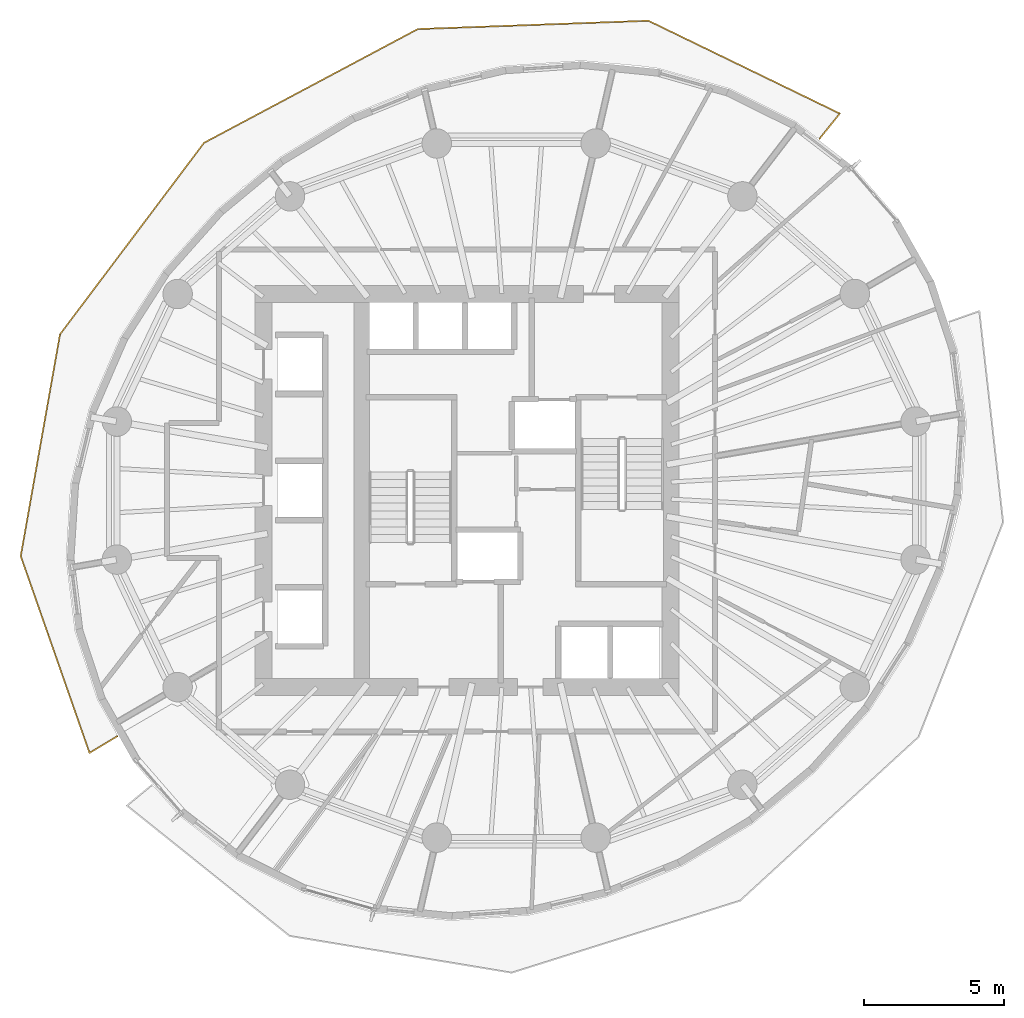
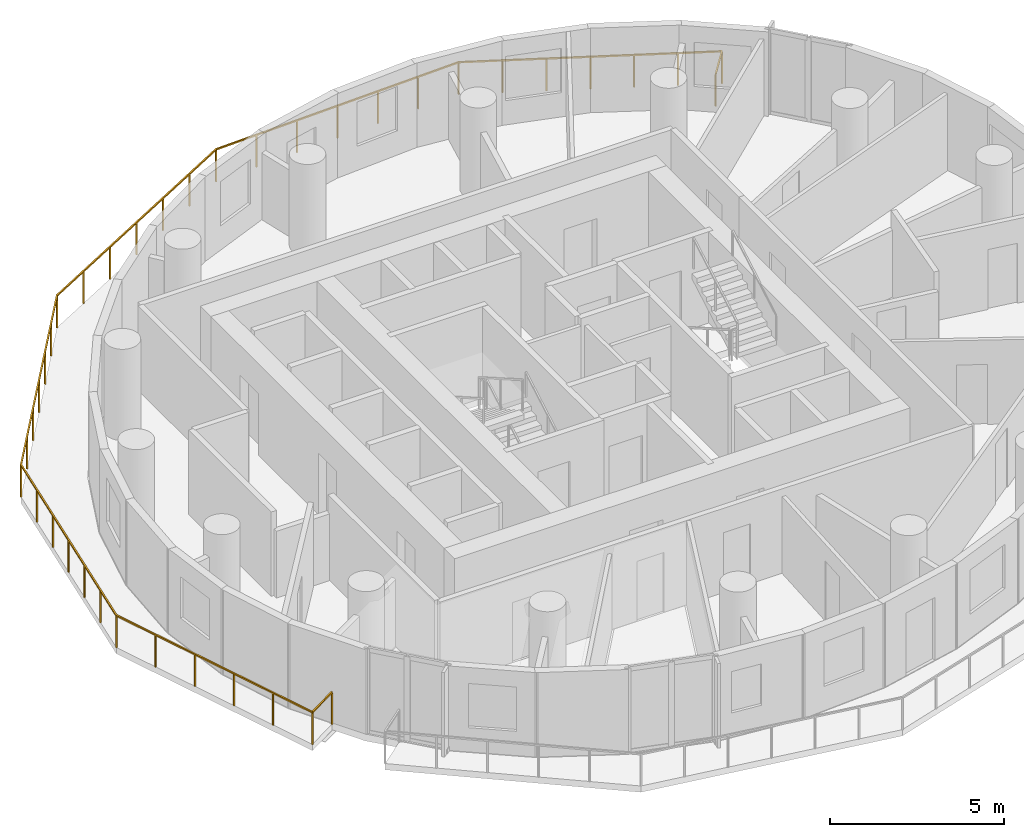
# One storey, part 11 of 12: 1 railing.
"""IFC4 building model written with IfcOpenShell, lengths in metres."""

import ifcopenshell
import ifcopenshell.guid

model = None  # the IFC model being written
_history = None  # IfcOwnerHistory: only IFC2X3 demands one
_inside = {}  # id of a spatial element -> (the spatial element, [elements in it])
_under = {}  # id of a project, library or spatial element -> (it, [spatial elements below it])
_declared = {}  # id of a project -> (the project, [libraries it declares])
_typed = {}  # id of a type object -> (the type object, [elements of that type])
_made_of = {}  # id of a material, layer set ... -> (it, [elements and type objects made of it])


def new_model(schema):
    """Start an empty IFC model of exactly this schema.

    Asked for "IFC4X3", IfcOpenShell would pick the latest addendum, in which some entities
    have other attributes; the version numbers below select the first issue.
    IFC2X3 requires an IfcOwnerHistory on every rooted entity: one is made here for all.
    """
    global model, _history
    if schema == "IFC4X3":
        model = ifcopenshell.file(schema_version=(4, 3, 0, 0))
    else:
        model = ifcopenshell.file(schema=schema)
    _inside.clear()
    _under.clear()
    _declared.clear()
    _typed.clear()
    _made_of.clear()
    _history = None
    if model.schema == "IFC2X3":
        org = make("IfcOrganization", Name="unknown")
        user = make(
            "IfcPersonAndOrganization",
            ThePerson=make("IfcPerson", FamilyName="unknown"),
            TheOrganization=org,
        )
        app = make(
            "IfcApplication",
            ApplicationDeveloper=org,
            Version="unknown",
            ApplicationFullName="unknown",
            ApplicationIdentifier="unknown",
        )
        _history = make(
            "IfcOwnerHistory",
            OwningUser=user,
            OwningApplication=app,
            ChangeAction="ADDED",
            CreationDate=0,
        )
    return model


def make(cls, **values):
    """One entity of the class cls with the attributes given. An attribute that is None is left unset."""
    return model.create_entity(
        cls, **{name: value for name, value in values.items() if value is not None}
    )


def rooted(cls, **values):
    """An entity with a GlobalId (a new one), such as an element, a storey or a relation."""
    return make(cls, GlobalId=ifcopenshell.guid.new(), OwnerHistory=_history, **values)


def si_unit(unit_type, name, prefix=None):
    """IfcSIUnit, for example si_unit("LENGTHUNIT", "METRE", prefix="MILLI")."""
    return make("IfcSIUnit", UnitType=unit_type, Prefix=prefix, Name=name)


def assignment(units):
    """IfcUnitAssignment: the units of a project."""
    return None if units is None else make("IfcUnitAssignment", Units=units)


def point(xyz):
    """IfcCartesianPoint."""
    return None if xyz is None else make("IfcCartesianPoint", Coordinates=xyz)


def direction(xyz):
    """IfcDirection."""
    return None if xyz is None else make("IfcDirection", DirectionRatios=xyz)


def frame(location, z_axis=None, x_axis=None):
    """IfcAxis2Placement3D, a coordinate frame: its origin and axes. An axis left out is left unset."""
    return make(
        "IfcAxis2Placement3D",
        Location=point(location),
        Axis=direction(z_axis),
        RefDirection=direction(x_axis),
    )


def frame_2d(location, x_axis=None):
    """IfcAxis2Placement2D, a coordinate frame in the plane: its origin and x axis."""
    return make(
        "IfcAxis2Placement2D", Location=point(location), RefDirection=direction(x_axis)
    )


def origin():
    """The frame at (0, 0, 0) with its axes left unset."""
    return frame((0.0, 0.0, 0.0))


def origin_2d():
    """The frame at (0, 0) in the plane with its x axis left unset."""
    return frame_2d((0.0, 0.0))


def place(relative_to, where):
    """IfcLocalPlacement: puts the frame where relative to a parent placement (None: the world)."""
    return make(
        "IfcLocalPlacement", PlacementRelTo=relative_to, RelativePlacement=where
    )


def context(
    kind, dimensions, precision=None, world=None, true_north=None, identifier=None
):
    """IfcGeometricRepresentationContext, for example the 3D "Model" context."""
    return make(
        "IfcGeometricRepresentationContext",
        ContextIdentifier=identifier,
        ContextType=kind,
        CoordinateSpaceDimension=dimensions,
        Precision=precision,
        WorldCoordinateSystem=world,
        TrueNorth=true_north,
    )


def subcontext(parent, identifier, kind, view, scale=None):
    """IfcGeometricRepresentationSubContext, for example "Body" below "Model"."""
    return make(
        "IfcGeometricRepresentationSubContext",
        ContextIdentifier=identifier,
        ContextType=kind,
        ParentContext=parent,
        TargetScale=scale,
        TargetView=view,
    )


def project(units=None, contexts=None):
    """IfcProject with its units and contexts."""
    return rooted(
        "IfcProject",
        Name="project",
        RepresentationContexts=contexts,
        UnitsInContext=assignment(units),
    )


def spatial(cls, under=None, at=None, **own):
    """A site, building, storey or space (cls), placed at a placement, below another one or the project."""
    s = rooted(cls, ObjectPlacement=at, **own)
    if under is not None:
        _under.setdefault(under.id(), (under, []))[1].append(s)
    return s


def profile(cls, at=None, kind="AREA", **sizes):
    """A parametric profile (cls). Its sizes go by their IFC names, for example OverallWidth=200.0."""
    return make(cls, ProfileType=kind, Position=at, **sizes)


def rectangle(**sizes):
    """IfcRectangleProfileDef."""
    return profile("IfcRectangleProfileDef", **sizes)


def extrude(swept, where, along, depth):
    """IfcExtrudedAreaSolid: the profile swept, set in the frame where, extruded along a direction by depth."""
    return make(
        "IfcExtrudedAreaSolid",
        SweptArea=swept,
        Position=where,
        ExtrudedDirection=direction(along),
        Depth=depth,
    )


def shape(context_of_items, identifier, shape_type, items):
    """IfcShapeRepresentation: the items that make up one representation, for example the "Body"."""
    return make(
        "IfcShapeRepresentation",
        ContextOfItems=context_of_items,
        RepresentationIdentifier=identifier,
        RepresentationType=shape_type,
        Items=items,
    )


def material(Name=None, Category=None):
    """IfcMaterial."""
    return make("IfcMaterial", Name=Name, Category=Category)


def made_of(thing, what):
    """Note that an element or type object is made of a material, layer set ...; save() writes the relation."""
    if what is not None:
        _made_of.setdefault(what.id(), (what, []))[1].append(thing)
    return thing


def type_object(cls, material=None, **own):
    """A type object (cls), such as IfcWallType, which elements share."""
    return made_of(rooted(cls, **own), material)


def element(
    cls,
    number,
    at=None,
    inside=None,
    cuts=None,
    type_object=None,
    material=None,
    context=None,
    identifier="Body",
    shape_type=None,
    held_by="IfcProductDefinitionShape",
    body=None,
    shapes=None,
    **own,
):
    """One element of the class cls, such as IfcWall. Its Tag is "e" and its number.

    at: its placement. inside: the storey or other place that contains it. cuts: it is an
    opening in that element (IfcRelVoidsElement). A single representation is given by context,
    identifier, shape_type and body (its items); several are given by shapes. held_by: the class
    of the entity that holds the representations. save() writes the other relations.
    """
    e = rooted(cls, Tag="e%d" % number, ObjectPlacement=at, **own)
    if body is not None:
        shapes = [shape(context, identifier, shape_type, body)]
    if shapes is not None:
        e.Representation = make(held_by, Representations=shapes)
    if inside is not None:
        _inside.setdefault(inside.id(), (inside, []))[1].append(e)
    if cuts is not None:
        rooted(
            "IfcRelVoidsElement", RelatingBuildingElement=cuts, RelatedOpeningElement=e
        )
    if type_object is not None:
        _typed.setdefault(type_object.id(), (type_object, []))[1].append(e)
    return made_of(e, material)


def aggregate(whole, parts):
    """IfcRelAggregates: a whole, such as a stair, and the parts it consists of."""
    return rooted("IfcRelAggregates", RelatingObject=whole, RelatedObjects=parts)


def save(model, path):
    """Write the relations noted so far, then the file.

    IfcRelAggregates (storeys below a building ...), IfcRelContainedInSpatialStructure (elements
    in a storey), IfcRelDefinesByType, IfcRelAssociatesMaterial and IfcRelDeclares: one each for
    every whole, place, type object, material and project.
    """
    for whole, parts in _under.values():
        aggregate(whole, parts)
    for where, things in _inside.values():
        rooted(
            "IfcRelContainedInSpatialStructure",
            RelatedElements=things,
            RelatingStructure=where,
        )
    for kind, things in _typed.values():
        rooted("IfcRelDefinesByType", RelatedObjects=things, RelatingType=kind)
    for what, things in _made_of.values():
        rooted("IfcRelAssociatesMaterial", RelatedObjects=things, RelatingMaterial=what)
    for by, libraries in _declared.values():
        rooted("IfcRelDeclares", RelatingContext=by, RelatedDefinitions=libraries)
    model.write(path)


model = new_model("IFC4")

# Units and contexts
model_context = context("Model", 3, precision=1e-05, world=origin(), true_north=direction((0.0, 1.0)))
body_context = subcontext(model_context, "Body", "Model", "MODEL_VIEW")
ifc_project = project(units=[si_unit("LENGTHUNIT", "METRE"), si_unit("AREAUNIT", "SQUARE_METRE"), si_unit("VOLUMEUNIT", "CUBIC_METRE"), si_unit("PLANEANGLEUNIT", "RADIAN"), si_unit("MASSUNIT", "GRAM", prefix="KILO")], contexts=[model_context])

# Site, building, storey
site_placement = place(None, origin())
site = spatial("IfcSite", under=ifc_project, at=site_placement, CompositionType="ELEMENT")
building_placement = place(site_placement, origin())
building = spatial("IfcBuilding", under=site, at=building_placement, Name="Veldorim Arch Residences", CompositionType="ELEMENT")
storey_placement = place(building_placement, frame((0.0, 0.0, 142.56005859375)))
storey = spatial("IfcBuildingStorey", under=building, at=storey_placement, Name="L42", CompositionType="ELEMENT", Elevation=142.56005859375)

# Railing
ifc_material = material(Name="Aluminium", Category="aluminium")
railing_type = type_object("IfcRailingType", Name="Balcony & Terrace Laminated Glass Balustrade 1150", PredefinedType="BALUSTRADE", material=ifc_material)
railing_placement = place(storey_placement, frame((42.803955078125, 36.531005859375, 0.0)))
element("IfcRailing", 1, at=railing_placement, inside=storey, type_object=railing_type, Name="L42 crescent balcony safety balustrade A", PredefinedType="BALUSTRADE", context=body_context, shape_type="SweptSolid", body=[
    extrude(rectangle(XDim=0.048095703125, YDim=0.048095703125, at=origin_2d()), frame((0.0, 0.0, 1.1259765625), z_axis=(0.626298958503, 0.779582974787, 0.0), x_axis=(-0.779582974787, 0.626298958503, 0.0)), (0.0, 0.0, 1.0), 1.14990234375),
    extrude(rectangle(XDim=0.048095703125, YDim=0.048095703125, at=origin_2d()), frame((0.72021484375, 0.896484375, 1.1259765625), z_axis=(-0.89975046022, 0.436404754022, 0.0), x_axis=(-0.436404754022, -0.89975046022, 0.0)), (0.0, 0.0, 1.0), 7.575927734375),
    extrude(rectangle(XDim=0.048095703125, YDim=0.048095703125, at=origin_2d()), frame((-6.09619140625, 4.20263671875, 1.1259765625), z_axis=(-0.999346635953, -0.036142789181, 0.0), x_axis=(0.036142789181, -0.999346635953, 0.0)), (0.0, 0.0, 1.0), 8.220703125),
    extrude(rectangle(XDim=0.048095703125, YDim=0.048095703125, at=origin_2d()), frame((-14.3115234375, 3.905517578125, 1.1259765625), z_axis=(-0.882749221414, -0.469844455212, 0.0), x_axis=(0.469844455212, -0.882749221414, 0.0)), (0.0, 0.0, 1.0), 8.62255859375),
    extrude(rectangle(XDim=0.048095703125, YDim=0.048095703125, at=origin_2d()), frame((-21.923095703125, -0.145751953125, 1.1259765625), z_axis=(-0.601088899383, -0.799182166367, 0.0), x_axis=(0.799182166367, -0.601088899383, 0.0)), (0.0, 0.0, 1.0), 8.533447265625),
    extrude(rectangle(XDim=0.048095703125, YDim=0.048095703125, at=origin_2d()), frame((-27.052490234375, -6.965576171875, 1.1259765625), z_axis=(-0.174401799954, -0.98467457171, 0.0), x_axis=(0.98467457171, -0.174401799954, 0.0)), (0.0, 0.0, 1.0), 8.019775390625),
    extrude(rectangle(XDim=0.048095703125, YDim=0.048095703125, at=origin_2d()), frame((-28.451171875, -14.862548828125, 1.1259765625), z_axis=(0.329977122351, -0.943988929344, 0.0), x_axis=(0.943988929344, 0.329977122351, 0.0)), (0.0, 0.0, 1.0), 7.428955078125),
    extrude(rectangle(XDim=0.048095703125, YDim=0.048095703125, at=origin_2d()), frame((-25.999755859375, -21.87548828125, 1.1259765625), z_axis=(0.856554970004, 0.516055794815, 0.0), x_axis=(-0.516055794815, 0.856554970004, 0.0)), (0.0, 0.0, 1.0), 1.150146484375),
    extrude(rectangle(XDim=0.0419921875, YDim=0.0419921875, at=origin_2d()), origin(), (0.0, 0.0, 1.0), 1.101806640625),
    extrude(rectangle(XDim=0.0419921875, YDim=0.0419921875, at=origin_2d()), frame((0.72021484375, 0.896484375, 0.0)), (0.0, 0.0, 1.0), 1.101806640625),
    extrude(rectangle(XDim=0.0419921875, YDim=0.0419921875, at=origin_2d()), frame((-0.415771484375, 1.447509765625, 0.0)), (0.0, 0.0, 1.0), 1.101806640625),
    extrude(rectangle(XDim=0.0419921875, YDim=0.0419921875, at=origin_2d()), frame((-1.552001953125, 1.99853515625, 0.0)), (0.0, 0.0, 1.0), 1.101806640625),
    extrude(rectangle(XDim=0.0419921875, YDim=0.0419921875, at=origin_2d()), frame((-2.68798828125, 2.549560546875, 0.0)), (0.0, 0.0, 1.0), 1.101806640625),
    extrude(rectangle(XDim=0.0419921875, YDim=0.0419921875, at=origin_2d()), frame((-3.823974609375, 3.1005859375, 0.0)), (0.0, 0.0, 1.0), 1.101806640625),
    extrude(rectangle(XDim=0.0419921875, YDim=0.0419921875, at=origin_2d()), frame((-4.960205078125, 3.651611328125, 0.0)), (0.0, 0.0, 1.0), 1.101806640625),
    extrude(rectangle(XDim=0.0419921875, YDim=0.0419921875, at=origin_2d()), frame((-6.09619140625, 4.20263671875, 0.0)), (0.0, 0.0, 1.0), 1.101806640625),
    extrude(rectangle(XDim=0.0419921875, YDim=0.0419921875, at=origin_2d()), frame((-7.46533203125, 4.153076171875, 0.0)), (0.0, 0.0, 1.0), 1.101806640625),
    extrude(rectangle(XDim=0.0419921875, YDim=0.0419921875, at=origin_2d()), frame((-8.834716796875, 4.103515625, 0.0)), (0.0, 0.0, 1.0), 1.101806640625),
    extrude(rectangle(XDim=0.0419921875, YDim=0.0419921875, at=origin_2d()), frame((-10.203857421875, 4.05419921875, 0.0)), (0.0, 0.0, 1.0), 1.101806640625),
    extrude(rectangle(XDim=0.0419921875, YDim=0.0419921875, at=origin_2d()), frame((-11.572998046875, 4.004638671875, 0.0)), (0.0, 0.0, 1.0), 1.101806640625),
    extrude(rectangle(XDim=0.0419921875, YDim=0.0419921875, at=origin_2d()), frame((-12.9423828125, 3.955078125, 0.0)), (0.0, 0.0, 1.0), 1.101806640625),
    extrude(rectangle(XDim=0.0419921875, YDim=0.0419921875, at=origin_2d()), frame((-14.3115234375, 3.905517578125, 0.0)), (0.0, 0.0, 1.0), 1.101806640625),
    extrude(rectangle(XDim=0.0419921875, YDim=0.0419921875, at=origin_2d()), frame((-15.580078125, 3.230224609375, 0.0)), (0.0, 0.0, 1.0), 1.101806640625),
    extrude(rectangle(XDim=0.0419921875, YDim=0.0419921875, at=origin_2d()), frame((-16.8486328125, 2.55517578125, 0.0)), (0.0, 0.0, 1.0), 1.101806640625),
    extrude(rectangle(XDim=0.0419921875, YDim=0.0419921875, at=origin_2d()), frame((-18.1171875, 1.8798828125, 0.0)), (0.0, 0.0, 1.0), 1.101806640625),
    extrude(rectangle(XDim=0.0419921875, YDim=0.0419921875, at=origin_2d()), frame((-19.385986328125, 1.20458984375, 0.0)), (0.0, 0.0, 1.0), 1.101806640625),
    extrude(rectangle(XDim=0.0419921875, YDim=0.0419921875, at=origin_2d()), frame((-20.654541015625, 0.529541015625, 0.0)), (0.0, 0.0, 1.0), 1.101806640625),
    extrude(rectangle(XDim=0.0419921875, YDim=0.0419921875, at=origin_2d()), frame((-21.923095703125, -0.145751953125, 0.0)), (0.0, 0.0, 1.0), 1.101806640625),
    extrude(rectangle(XDim=0.0419921875, YDim=0.0419921875, at=origin_2d()), frame((-22.778076171875, -1.282470703125, 0.0)), (0.0, 0.0, 1.0), 1.101806640625),
    extrude(rectangle(XDim=0.0419921875, YDim=0.0419921875, at=origin_2d()), frame((-23.6328125, -2.4189453125, 0.0)), (0.0, 0.0, 1.0), 1.101806640625),
    extrude(rectangle(XDim=0.0419921875, YDim=0.0419921875, at=origin_2d()), frame((-24.48779296875, -3.5556640625, 0.0)), (0.0, 0.0, 1.0), 1.101806640625),
    extrude(rectangle(XDim=0.0419921875, YDim=0.0419921875, at=origin_2d()), frame((-25.3427734375, -4.6923828125, 0.0)), (0.0, 0.0, 1.0), 1.101806640625),
    extrude(rectangle(XDim=0.0419921875, YDim=0.0419921875, at=origin_2d()), frame((-26.197509765625, -5.828857421875, 0.0)), (0.0, 0.0, 1.0), 1.101806640625),
    extrude(rectangle(XDim=0.0419921875, YDim=0.0419921875, at=origin_2d()), frame((-27.052490234375, -6.965576171875, 0.0)), (0.0, 0.0, 1.0), 1.101806640625),
    extrude(rectangle(XDim=0.0419921875, YDim=0.0419921875, at=origin_2d()), frame((-27.28564453125, -8.28173828125, 0.0)), (0.0, 0.0, 1.0), 1.101806640625),
    extrude(rectangle(XDim=0.0419921875, YDim=0.0419921875, at=origin_2d()), frame((-27.518798828125, -9.597900390625, 0.0)), (0.0, 0.0, 1.0), 1.101806640625),
    extrude(rectangle(XDim=0.0419921875, YDim=0.0419921875, at=origin_2d()), frame((-27.751953125, -10.9140625, 0.0)), (0.0, 0.0, 1.0), 1.101806640625),
    extrude(rectangle(XDim=0.0419921875, YDim=0.0419921875, at=origin_2d()), frame((-27.98486328125, -12.230224609375, 0.0)), (0.0, 0.0, 1.0), 1.101806640625),
    extrude(rectangle(XDim=0.0419921875, YDim=0.0419921875, at=origin_2d()), frame((-28.218017578125, -13.54638671875, 0.0)), (0.0, 0.0, 1.0), 1.101806640625),
    extrude(rectangle(XDim=0.0419921875, YDim=0.0419921875, at=origin_2d()), frame((-28.451171875, -14.862548828125, 0.0)), (0.0, 0.0, 1.0), 1.101806640625),
    extrude(rectangle(XDim=0.0419921875, YDim=0.0419921875, at=origin_2d()), frame((-27.9609375, -16.26513671875, 0.0)), (0.0, 0.0, 1.0), 1.101806640625),
    extrude(rectangle(XDim=0.0419921875, YDim=0.0419921875, at=origin_2d()), frame((-27.470703125, -17.667724609375, 0.0)), (0.0, 0.0, 1.0), 1.101806640625),
    extrude(rectangle(XDim=0.0419921875, YDim=0.0419921875, at=origin_2d()), frame((-26.980224609375, -19.0703125, 0.0)), (0.0, 0.0, 1.0), 1.101806640625),
    extrude(rectangle(XDim=0.0419921875, YDim=0.0419921875, at=origin_2d()), frame((-26.489990234375, -20.472900390625, 0.0)), (0.0, 0.0, 1.0), 1.101806640625),
    extrude(rectangle(XDim=0.0419921875, YDim=0.0419921875, at=origin_2d()), frame((-25.999755859375, -21.87548828125, 0.0)), (0.0, 0.0, 1.0), 1.101806640625),
    extrude(rectangle(XDim=0.0419921875, YDim=0.0419921875, at=origin_2d()), frame((-25.0146484375, -21.281982421875, 0.0)), (0.0, 0.0, 1.0), 1.101806640625),
])

save(model, "model.ifc")
